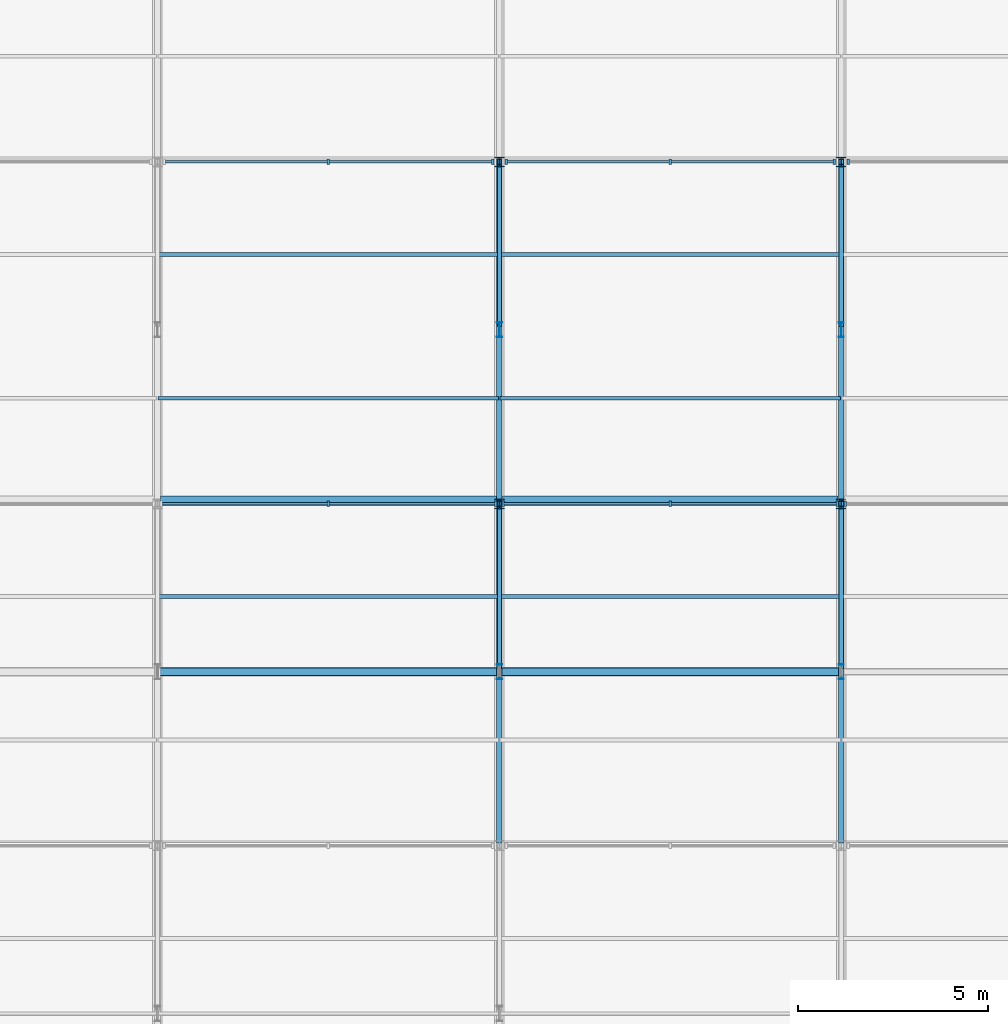
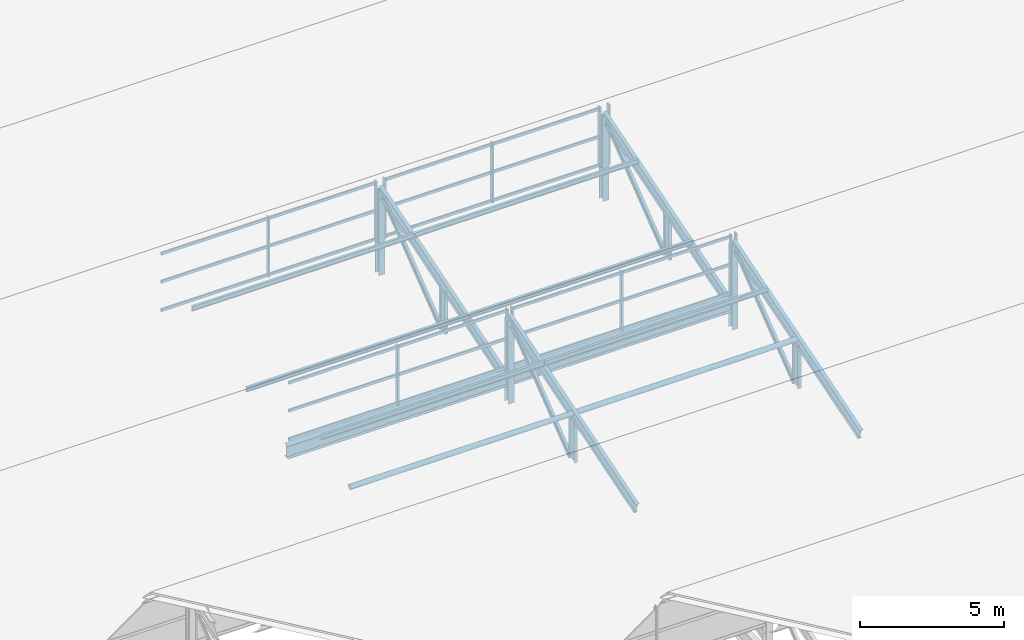
# One storey, part 53 of 163: 60 members, 2 beams, 6 elements without a shape of their own.
"""IFC4 building model written with IfcOpenShell, lengths in metres."""

from ifc_helpers import new_model, si_unit, direction, frame, origin, origin_2d, place, context, subcontext, project, spatial, rectangle, hollow_circle, i_section, extrude, material, material_profile, profile_set, type_object, element, aggregate, save


model = new_model("IFC4")

# Units and contexts
model_context = context("Model", 3, precision=1e-05, world=origin(), true_north=direction((0.0, 1.0)))
body_context = subcontext(model_context, "Body", "Model", "MODEL_VIEW")
ifc_project = project(units=[si_unit("LENGTHUNIT", "METRE"), si_unit("AREAUNIT", "SQUARE_METRE"), si_unit("VOLUMEUNIT", "CUBIC_METRE"), si_unit("PLANEANGLEUNIT", "RADIAN"), si_unit("MASSUNIT", "GRAM", prefix="KILO")], contexts=[model_context])

# Site, building, storey
site_placement = place(None, origin())
site = spatial("IfcSite", under=ifc_project, at=site_placement, CompositionType="ELEMENT")
building_placement = place(site_placement, origin())
building = spatial("IfcBuilding", under=site, at=building_placement, Name="Tharagai Park Tramway Depot", CompositionType="ELEMENT")
storey_placement = place(building_placement, frame((0.0, 0.0, 8.39990234375)))
storey = spatial("IfcBuildingStorey", under=building, at=storey_placement, Name="L02", CompositionType="ELEMENT", Elevation=8.39990234375)

# Beams
ifc_material_1 = material(Name="Steel E350", Category="steel")
ifc_material_profile_1 = material_profile(ifc_material_1, i_section(OverallWidth=0.25, OverallDepth=0.550048828125, WebThickness=0.010498046875, FlangeThickness=0.017578125, FilletRadius=0.01611328125, at=origin_2d()), Name="ISWB 550")
ifc_profile_set_1 = profile_set([ifc_material_profile_1], Name="Steel E350")
beam_type = type_object("IfcBeamType", Name="BM-04", PredefinedType="BEAM", material=ifc_profile_set_1)
for number, where, z_axis, x_axis, name in (
    (1, (45.080078125, 117.0, 0.72509765625), (1.0, 0.0, 0.0), (0.0, 1.0, 0.0), "Sawtooth Valley Girder BM-04"),
    (2, (54.080078125, 117.0, 0.72509765625), (1.0, 0.0, 0.0), (0.0, 1.0, 0.0), "Sawtooth Valley Girder BM-04"),
):
    element("IfcBeam", number, at=place(storey_placement, frame(where, z_axis=z_axis, x_axis=x_axis)), inside=storey, type_object=beam_type, Name=name, PredefinedType="BEAM", context=body_context, shape_type="SweptSolid", body=[
        extrude(i_section(OverallWidth=0.25, OverallDepth=0.550048828125, WebThickness=0.010498046875, FlangeThickness=0.017578125, FilletRadius=0.01611328125, at=origin_2d()), origin(), (0.0, 0.0, 1.0), 8.83984375),
    ])

# Members
ifc_material_profile_2 = material_profile(ifc_material_1, i_section(OverallWidth=0.25, OverallDepth=0.25, WebThickness=0.0087890625, FlangeThickness=0.009765625, FilletRadius=0.010009765625, at=origin_2d()), Name="ISHB 250")
ifc_profile_set_2 = profile_set([ifc_material_profile_2], Name="Steel E350")
member_type_1 = type_object("IfcMemberType", Name="BR-01", PredefinedType="BRACE", material=ifc_profile_set_2)
for number, where, z_axis, x_axis, name in (
    (3, (54.0, 116.919921875, -0.25), (0.0, 0.0, 1.0), (1.0, 0.0, 0.0), "Sawtooth North Vertical Post BR-01"),
    (4, (54.0, 125.919921875, -0.25), (0.0, 0.0, 1.0), (1.0, 0.0, 0.0), "Sawtooth North Vertical Post BR-01"),
    (5, (63.0, 116.919921875, -0.25), (0.0, 0.0, 1.0), (1.0, 0.0, 0.0), "Sawtooth North Vertical Post BR-01"),
    (6, (63.0, 125.919921875, -0.25), (0.0, 0.0, 1.0), (1.0, 0.0, 0.0), "Sawtooth North Vertical Post BR-01"),
):
    element("IfcMember", number, at=place(storey_placement, frame(where, z_axis=z_axis, x_axis=x_axis)), inside=storey, type_object=member_type_1, Name=name, PredefinedType="BRACE", context=body_context, shape_type="SweptSolid", body=[
        extrude(i_section(OverallWidth=0.25, OverallDepth=0.25, WebThickness=0.0087890625, FlangeThickness=0.009765625, FilletRadius=0.010009765625, at=origin_2d()), origin(), (0.0, 0.0, 1.0), 3.55517578125),
    ])
ifc_material_profile_3 = material_profile(ifc_material_1, hollow_circle(Radius=0.109619140625, WallThickness=0.008056640625, at=origin_2d()), Name="CHS 219.1x8")
ifc_profile_set_3 = profile_set([ifc_material_profile_3], Name="Steel E350")
member_type_2 = type_object("IfcMemberType", Name="BR-03", PredefinedType="BRACE", material=ifc_profile_set_3)
for number, where, z_axis, x_axis, name in (
    (7, (45.02001953125, 112.5, 1.946533203125), (1.0, 0.0, 0.0), (0.0, 1.0, 0.0), "Sawtooth Tubular Tie Strut BR-03"),
    (8, (54.02001953125, 112.5, 1.946533203125), (1.0, 0.0, 0.0), (0.0, 1.0, 0.0), "Sawtooth Tubular Tie Strut BR-03"),
):
    element("IfcMember", number, at=place(storey_placement, frame(where, z_axis=z_axis, x_axis=x_axis)), inside=storey, type_object=member_type_2, Name=name, PredefinedType="BRACE", context=body_context, shape_type="SweptSolid", body=[
        extrude(hollow_circle(Radius=0.109619140625, WallThickness=0.008056640625, at=origin_2d()), origin(), (0.0, 0.0, 1.0), 8.9599609375),
    ])
ifc_material_profile_4 = material_profile(ifc_material_1, i_section(OverallWidth=0.110107421875, OverallDepth=0.22509765625, WebThickness=0.006591796875, FlangeThickness=0.01171875, FilletRadius=0.011962890625, at=origin_2d()), Name="ISMB 225")
ifc_profile_set_4 = profile_set([ifc_material_profile_4], Name="Steel E350")
member_type_3 = type_object("IfcMemberType", Name="BR-04", PredefinedType="BRACE", material=ifc_profile_set_4)
for number, where, z_axis, x_axis, name in (
    (9, (54.0, 112.64990234375, 0.0), (0.0, 0.790781596, 0.612098413188), (-1.0, 0.0, 0.0), "Sawtooth Truss Web Diagonal BR-04"),
    (10, (54.0, 121.64990234375, 0.0), (0.0, 0.790781596, 0.612098413188), (-1.0, 0.0, 0.0), "Sawtooth Truss Web Diagonal BR-04"),
    (11, (63.0, 112.64990234375, 0.0), (0.0, 0.790781596, 0.612098413188), (-1.0, 0.0, 0.0), "Sawtooth Truss Web Diagonal BR-04"),
    (12, (63.0, 121.64990234375, 0.0), (0.0, 0.790781596, 0.612098413188), (-1.0, 0.0, 0.0), "Sawtooth Truss Web Diagonal BR-04"),
):
    element("IfcMember", number, at=place(storey_placement, frame(where, z_axis=z_axis, x_axis=x_axis)), inside=storey, type_object=member_type_3, Name=name, PredefinedType="BRACE", context=body_context, shape_type="SweptSolid", body=[
        extrude(i_section(OverallWidth=0.110107421875, OverallDepth=0.22509765625, WebThickness=0.006591796875, FlangeThickness=0.01171875, FilletRadius=0.011962890625, at=origin_2d()), origin(), (0.0, 0.0, 1.0), 5.399658203125),
    ])

# Curtain wall, members
ifc_material_2 = material(Name="Anodised aluminium", Category="aluminium")
curtain_wall_type_1 = type_object("IfcCurtainWallType", Name="CW-04", PredefinedType="NOTDEFINED", material=ifc_material_2)
curtain_wall_1_placement = place(storey_placement, origin())
curtain_wall_1 = element("IfcCurtainWall", 13, at=curtain_wall_1_placement, inside=storey, type_object=curtain_wall_type_1, Name="Sawtooth North-Light Clerestory CW-04", PredefinedType="NOTDEFINED")
ifc_material_profile_5 = material_profile(ifc_material_2, rectangle(XDim=0.06494140625, YDim=0.1201171875, at=origin_2d()), Name="ALU 65x120")
ifc_profile_set_5 = profile_set([ifc_material_profile_5], Name="Anodised aluminium")
member_type_4 = type_object("IfcMemberType", Name="CM-01", PredefinedType="USERDEFINED", material=ifc_profile_set_5)
member_1_placement = place(storey_placement, frame((45.114990234375, 116.919921875, 1.26513671875), z_axis=(1.0, 0.0, 0.0), x_axis=(0.0, 1.0, 0.0)))
member_1 = element("IfcMember", 14, at=member_1_placement, type_object=member_type_4, Name="Sawtooth North-Light Clerestory Transom 1.1", ObjectType="TRANSOM", PredefinedType="USERDEFINED", context=body_context, shape_type="SweptSolid", body=[
    extrude(rectangle(XDim=0.06494140625, YDim=0.1201171875, at=origin_2d()), origin(), (0.0, 0.0, 1.0), 4.3701171875),
])
member_2_placement = place(storey_placement, frame((45.114990234375, 116.919921875, 2.4736328125), z_axis=(1.0, 0.0, 0.0), x_axis=(0.0, 1.0, 0.0)))
member_2 = element("IfcMember", 15, at=member_2_placement, type_object=member_type_4, Name="Sawtooth North-Light Clerestory Transom 1.2", ObjectType="TRANSOM", PredefinedType="USERDEFINED", context=body_context, shape_type="SweptSolid", body=[
    extrude(rectangle(XDim=0.06494140625, YDim=0.1201171875, at=origin_2d()), origin(), (0.0, 0.0, 1.0), 4.3701171875),
])
member_3_placement = place(storey_placement, frame((45.114990234375, 116.919921875, 3.662353515625), z_axis=(1.0, 0.0, 0.0), x_axis=(0.0, 1.0, 0.0)))
member_3 = element("IfcMember", 16, at=member_3_placement, type_object=member_type_4, Name="Sawtooth North-Light Clerestory Transom 1.3", ObjectType="TRANSOM", PredefinedType="USERDEFINED", context=body_context, shape_type="SweptSolid", body=[
    extrude(rectangle(XDim=0.06494140625, YDim=0.1201171875, at=origin_2d()), origin(), (0.0, 0.0, 1.0), 4.3701171875),
])
member_4_placement = place(storey_placement, frame((49.514892578125, 116.919921875, 1.26513671875), z_axis=(1.0, 0.0, 0.0), x_axis=(0.0, 1.0, 0.0)))
member_4 = element("IfcMember", 17, at=member_4_placement, type_object=member_type_4, Name="Sawtooth North-Light Clerestory Transom 2.1", ObjectType="TRANSOM", PredefinedType="USERDEFINED", context=body_context, shape_type="SweptSolid", body=[
    extrude(rectangle(XDim=0.06494140625, YDim=0.1201171875, at=origin_2d()), origin(), (0.0, 0.0, 1.0), 4.3701171875),
])
member_5_placement = place(storey_placement, frame((49.514892578125, 116.919921875, 2.4736328125), z_axis=(1.0, 0.0, 0.0), x_axis=(0.0, 1.0, 0.0)))
member_5 = element("IfcMember", 18, at=member_5_placement, type_object=member_type_4, Name="Sawtooth North-Light Clerestory Transom 2.2", ObjectType="TRANSOM", PredefinedType="USERDEFINED", context=body_context, shape_type="SweptSolid", body=[
    extrude(rectangle(XDim=0.06494140625, YDim=0.1201171875, at=origin_2d()), origin(), (0.0, 0.0, 1.0), 4.3701171875),
])
member_6_placement = place(storey_placement, frame((49.514892578125, 116.919921875, 3.662353515625), z_axis=(1.0, 0.0, 0.0), x_axis=(0.0, 1.0, 0.0)))
member_6 = element("IfcMember", 19, at=member_6_placement, type_object=member_type_4, Name="Sawtooth North-Light Clerestory Transom 2.3", ObjectType="TRANSOM", PredefinedType="USERDEFINED", context=body_context, shape_type="SweptSolid", body=[
    extrude(rectangle(XDim=0.06494140625, YDim=0.1201171875, at=origin_2d()), origin(), (0.0, 0.0, 1.0), 4.3701171875),
])

curtain_wall_2_placement = place(storey_placement, origin())
curtain_wall_2 = element("IfcCurtainWall", 20, at=curtain_wall_2_placement, inside=storey, type_object=curtain_wall_type_1, Name="Sawtooth North-Light Clerestory CW-04", PredefinedType="NOTDEFINED")
member_7_placement = place(storey_placement, frame((54.114990234375, 116.919921875, 1.26513671875), z_axis=(1.0, 0.0, 0.0), x_axis=(0.0, 1.0, 0.0)))
member_7 = element("IfcMember", 21, at=member_7_placement, type_object=member_type_4, Name="Sawtooth North-Light Clerestory Transom 1.1", ObjectType="TRANSOM", PredefinedType="USERDEFINED", context=body_context, shape_type="SweptSolid", body=[
    extrude(rectangle(XDim=0.06494140625, YDim=0.1201171875, at=origin_2d()), origin(), (0.0, 0.0, 1.0), 4.3701171875),
])
member_8_placement = place(storey_placement, frame((54.114990234375, 116.919921875, 2.4736328125), z_axis=(1.0, 0.0, 0.0), x_axis=(0.0, 1.0, 0.0)))
member_8 = element("IfcMember", 22, at=member_8_placement, type_object=member_type_4, Name="Sawtooth North-Light Clerestory Transom 1.2", ObjectType="TRANSOM", PredefinedType="USERDEFINED", context=body_context, shape_type="SweptSolid", body=[
    extrude(rectangle(XDim=0.06494140625, YDim=0.1201171875, at=origin_2d()), origin(), (0.0, 0.0, 1.0), 4.3701171875),
])
member_9_placement = place(storey_placement, frame((54.114990234375, 116.919921875, 3.662353515625), z_axis=(1.0, 0.0, 0.0), x_axis=(0.0, 1.0, 0.0)))
member_9 = element("IfcMember", 23, at=member_9_placement, type_object=member_type_4, Name="Sawtooth North-Light Clerestory Transom 1.3", ObjectType="TRANSOM", PredefinedType="USERDEFINED", context=body_context, shape_type="SweptSolid", body=[
    extrude(rectangle(XDim=0.06494140625, YDim=0.1201171875, at=origin_2d()), origin(), (0.0, 0.0, 1.0), 4.3701171875),
])
member_10_placement = place(storey_placement, frame((58.514892578125, 116.919921875, 1.26513671875), z_axis=(1.0, 0.0, 0.0), x_axis=(0.0, 1.0, 0.0)))
member_10 = element("IfcMember", 24, at=member_10_placement, type_object=member_type_4, Name="Sawtooth North-Light Clerestory Transom 2.1", ObjectType="TRANSOM", PredefinedType="USERDEFINED", context=body_context, shape_type="SweptSolid", body=[
    extrude(rectangle(XDim=0.06494140625, YDim=0.1201171875, at=origin_2d()), origin(), (0.0, 0.0, 1.0), 4.3701171875),
])
member_11_placement = place(storey_placement, frame((58.514892578125, 116.919921875, 2.4736328125), z_axis=(1.0, 0.0, 0.0), x_axis=(0.0, 1.0, 0.0)))
member_11 = element("IfcMember", 25, at=member_11_placement, type_object=member_type_4, Name="Sawtooth North-Light Clerestory Transom 2.2", ObjectType="TRANSOM", PredefinedType="USERDEFINED", context=body_context, shape_type="SweptSolid", body=[
    extrude(rectangle(XDim=0.06494140625, YDim=0.1201171875, at=origin_2d()), origin(), (0.0, 0.0, 1.0), 4.3701171875),
])
member_12_placement = place(storey_placement, frame((58.514892578125, 116.919921875, 3.662353515625), z_axis=(1.0, 0.0, 0.0), x_axis=(0.0, 1.0, 0.0)))
member_12 = element("IfcMember", 26, at=member_12_placement, type_object=member_type_4, Name="Sawtooth North-Light Clerestory Transom 2.3", ObjectType="TRANSOM", PredefinedType="USERDEFINED", context=body_context, shape_type="SweptSolid", body=[
    extrude(rectangle(XDim=0.06494140625, YDim=0.1201171875, at=origin_2d()), origin(), (0.0, 0.0, 1.0), 4.3701171875),
])

curtain_wall_type_2 = type_object("IfcCurtainWallType", Name="CW-03", PredefinedType="NOTDEFINED", material=ifc_material_2)
curtain_wall_3_placement = place(storey_placement, origin())
curtain_wall_3 = element("IfcCurtainWall", 27, at=curtain_wall_3_placement, inside=storey, type_object=curtain_wall_type_2, Name="Sawtooth North-Light Clerestory CW-03", PredefinedType="NOTDEFINED")
member_13_placement = place(storey_placement, frame((45.195068359375, 125.919921875, 1.26513671875), z_axis=(1.0, 0.0, 0.0), x_axis=(0.0, 1.0, 0.0)))
member_13 = element("IfcMember", 28, at=member_13_placement, type_object=member_type_4, Name="Sawtooth North-Light Clerestory Transom 1.1", ObjectType="TRANSOM", PredefinedType="USERDEFINED", context=body_context, shape_type="SweptSolid", body=[
    extrude(rectangle(XDim=0.06494140625, YDim=0.1201171875, at=origin_2d()), origin(), (0.0, 0.0, 1.0), 4.2900390625),
])
member_14_placement = place(storey_placement, frame((45.195068359375, 125.919921875, 2.4736328125), z_axis=(1.0, 0.0, 0.0), x_axis=(0.0, 1.0, 0.0)))
member_14 = element("IfcMember", 29, at=member_14_placement, type_object=member_type_4, Name="Sawtooth North-Light Clerestory Transom 1.2", ObjectType="TRANSOM", PredefinedType="USERDEFINED", context=body_context, shape_type="SweptSolid", body=[
    extrude(rectangle(XDim=0.06494140625, YDim=0.1201171875, at=origin_2d()), origin(), (0.0, 0.0, 1.0), 4.2900390625),
])
member_15_placement = place(storey_placement, frame((45.195068359375, 125.919921875, 3.662353515625), z_axis=(1.0, 0.0, 0.0), x_axis=(0.0, 1.0, 0.0)))
member_15 = element("IfcMember", 30, at=member_15_placement, type_object=member_type_4, Name="Sawtooth North-Light Clerestory Transom 1.3", ObjectType="TRANSOM", PredefinedType="USERDEFINED", context=body_context, shape_type="SweptSolid", body=[
    extrude(rectangle(XDim=0.06494140625, YDim=0.1201171875, at=origin_2d()), origin(), (0.0, 0.0, 1.0), 4.2900390625),
])
member_16_placement = place(storey_placement, frame((49.514892578125, 125.919921875, 1.26513671875), z_axis=(1.0, 0.0, 0.0), x_axis=(0.0, 1.0, 0.0)))
member_16 = element("IfcMember", 31, at=member_16_placement, type_object=member_type_4, Name="Sawtooth North-Light Clerestory Transom 2.1", ObjectType="TRANSOM", PredefinedType="USERDEFINED", context=body_context, shape_type="SweptSolid", body=[
    extrude(rectangle(XDim=0.06494140625, YDim=0.1201171875, at=origin_2d()), origin(), (0.0, 0.0, 1.0), 4.2900390625),
])
member_17_placement = place(storey_placement, frame((49.514892578125, 125.919921875, 2.4736328125), z_axis=(1.0, 0.0, 0.0), x_axis=(0.0, 1.0, 0.0)))
member_17 = element("IfcMember", 32, at=member_17_placement, type_object=member_type_4, Name="Sawtooth North-Light Clerestory Transom 2.2", ObjectType="TRANSOM", PredefinedType="USERDEFINED", context=body_context, shape_type="SweptSolid", body=[
    extrude(rectangle(XDim=0.06494140625, YDim=0.1201171875, at=origin_2d()), origin(), (0.0, 0.0, 1.0), 4.2900390625),
])
member_18_placement = place(storey_placement, frame((49.514892578125, 125.919921875, 3.662353515625), z_axis=(1.0, 0.0, 0.0), x_axis=(0.0, 1.0, 0.0)))
member_18 = element("IfcMember", 33, at=member_18_placement, type_object=member_type_4, Name="Sawtooth North-Light Clerestory Transom 2.3", ObjectType="TRANSOM", PredefinedType="USERDEFINED", context=body_context, shape_type="SweptSolid", body=[
    extrude(rectangle(XDim=0.06494140625, YDim=0.1201171875, at=origin_2d()), origin(), (0.0, 0.0, 1.0), 4.2900390625),
])

curtain_wall_4_placement = place(storey_placement, origin())
curtain_wall_4 = element("IfcCurtainWall", 34, at=curtain_wall_4_placement, inside=storey, type_object=curtain_wall_type_2, Name="Sawtooth North-Light Clerestory CW-03", PredefinedType="NOTDEFINED")
member_19_placement = place(storey_placement, frame((54.195068359375, 125.919921875, 1.26513671875), z_axis=(1.0, 0.0, 0.0), x_axis=(0.0, 1.0, 0.0)))
member_19 = element("IfcMember", 35, at=member_19_placement, type_object=member_type_4, Name="Sawtooth North-Light Clerestory Transom 1.1", ObjectType="TRANSOM", PredefinedType="USERDEFINED", context=body_context, shape_type="SweptSolid", body=[
    extrude(rectangle(XDim=0.06494140625, YDim=0.1201171875, at=origin_2d()), origin(), (0.0, 0.0, 1.0), 4.2900390625),
])
member_20_placement = place(storey_placement, frame((54.195068359375, 125.919921875, 2.4736328125), z_axis=(1.0, 0.0, 0.0), x_axis=(0.0, 1.0, 0.0)))
member_20 = element("IfcMember", 36, at=member_20_placement, type_object=member_type_4, Name="Sawtooth North-Light Clerestory Transom 1.2", ObjectType="TRANSOM", PredefinedType="USERDEFINED", context=body_context, shape_type="SweptSolid", body=[
    extrude(rectangle(XDim=0.06494140625, YDim=0.1201171875, at=origin_2d()), origin(), (0.0, 0.0, 1.0), 4.2900390625),
])
member_21_placement = place(storey_placement, frame((54.195068359375, 125.919921875, 3.662353515625), z_axis=(1.0, 0.0, 0.0), x_axis=(0.0, 1.0, 0.0)))
member_21 = element("IfcMember", 37, at=member_21_placement, type_object=member_type_4, Name="Sawtooth North-Light Clerestory Transom 1.3", ObjectType="TRANSOM", PredefinedType="USERDEFINED", context=body_context, shape_type="SweptSolid", body=[
    extrude(rectangle(XDim=0.06494140625, YDim=0.1201171875, at=origin_2d()), origin(), (0.0, 0.0, 1.0), 4.2900390625),
])
member_22_placement = place(storey_placement, frame((58.514892578125, 125.919921875, 1.26513671875), z_axis=(1.0, 0.0, 0.0), x_axis=(0.0, 1.0, 0.0)))
member_22 = element("IfcMember", 38, at=member_22_placement, type_object=member_type_4, Name="Sawtooth North-Light Clerestory Transom 2.1", ObjectType="TRANSOM", PredefinedType="USERDEFINED", context=body_context, shape_type="SweptSolid", body=[
    extrude(rectangle(XDim=0.06494140625, YDim=0.1201171875, at=origin_2d()), origin(), (0.0, 0.0, 1.0), 4.2900390625),
])
member_23_placement = place(storey_placement, frame((58.514892578125, 125.919921875, 2.4736328125), z_axis=(1.0, 0.0, 0.0), x_axis=(0.0, 1.0, 0.0)))
member_23 = element("IfcMember", 39, at=member_23_placement, type_object=member_type_4, Name="Sawtooth North-Light Clerestory Transom 2.2", ObjectType="TRANSOM", PredefinedType="USERDEFINED", context=body_context, shape_type="SweptSolid", body=[
    extrude(rectangle(XDim=0.06494140625, YDim=0.1201171875, at=origin_2d()), origin(), (0.0, 0.0, 1.0), 4.2900390625),
])
member_24_placement = place(storey_placement, frame((58.514892578125, 125.919921875, 3.662353515625), z_axis=(1.0, 0.0, 0.0), x_axis=(0.0, 1.0, 0.0)))
member_24 = element("IfcMember", 40, at=member_24_placement, type_object=member_type_4, Name="Sawtooth North-Light Clerestory Transom 2.3", ObjectType="TRANSOM", PredefinedType="USERDEFINED", context=body_context, shape_type="SweptSolid", body=[
    extrude(rectangle(XDim=0.06494140625, YDim=0.1201171875, at=origin_2d()), origin(), (0.0, 0.0, 1.0), 4.2900390625),
])

# Member
ifc_material_profile_6 = material_profile(ifc_material_2, rectangle(XDim=0.06494140625, YDim=0.14990234375, at=origin_2d()), Name="ALU 65x150")
ifc_profile_set_6 = profile_set([ifc_material_profile_6], Name="Anodised aluminium")
member_type_5 = type_object("IfcMemberType", Name="CM-03", PredefinedType="MULLION", material=ifc_profile_set_6)
member_25_placement = place(storey_placement, frame((49.5, 116.919921875, 1.2001953125), z_axis=(0.0, 0.0, 1.0), x_axis=(1.0, 0.0, 0.0)))
member_25 = element("IfcMember", 41, at=member_25_placement, type_object=member_type_5, Name="Sawtooth North-Light Clerestory Mullion 2", PredefinedType="MULLION", context=body_context, shape_type="SweptSolid", body=[
    extrude(rectangle(XDim=0.06494140625, YDim=0.14990234375, at=origin_2d()), origin(), (0.0, 0.0, 1.0), 2.547119140625),
])

member_26_placement = place(storey_placement, frame((53.89990234375, 116.919921875, 1.2001953125), z_axis=(0.0, 0.0, 1.0), x_axis=(1.0, 0.0, 0.0)))
member_26 = element("IfcMember", 42, at=member_26_placement, type_object=member_type_5, Name="Sawtooth North-Light Clerestory Mullion 3", PredefinedType="MULLION", context=body_context, shape_type="SweptSolid", body=[
    extrude(rectangle(XDim=0.06494140625, YDim=0.14990234375, at=origin_2d()), origin(), (0.0, 0.0, 1.0), 2.547119140625),
])

aggregate(curtain_wall_1, [member_25, member_26, member_1, member_2, member_3, member_4, member_5, member_6])

member_27_placement = place(storey_placement, frame((54.10009765625, 116.919921875, 1.2001953125), z_axis=(0.0, 0.0, 1.0), x_axis=(1.0, 0.0, 0.0)))
member_27 = element("IfcMember", 43, at=member_27_placement, type_object=member_type_5, Name="Sawtooth North-Light Clerestory Mullion 1", PredefinedType="MULLION", context=body_context, shape_type="SweptSolid", body=[
    extrude(rectangle(XDim=0.06494140625, YDim=0.14990234375, at=origin_2d()), origin(), (0.0, 0.0, 1.0), 2.547119140625),
])

member_28_placement = place(storey_placement, frame((58.5, 116.919921875, 1.2001953125), z_axis=(0.0, 0.0, 1.0), x_axis=(1.0, 0.0, 0.0)))
member_28 = element("IfcMember", 44, at=member_28_placement, type_object=member_type_5, Name="Sawtooth North-Light Clerestory Mullion 2", PredefinedType="MULLION", context=body_context, shape_type="SweptSolid", body=[
    extrude(rectangle(XDim=0.06494140625, YDim=0.14990234375, at=origin_2d()), origin(), (0.0, 0.0, 1.0), 2.547119140625),
])

member_29_placement = place(storey_placement, frame((62.89990234375, 116.919921875, 1.2001953125), z_axis=(0.0, 0.0, 1.0), x_axis=(1.0, 0.0, 0.0)))
member_29 = element("IfcMember", 45, at=member_29_placement, type_object=member_type_5, Name="Sawtooth North-Light Clerestory Mullion 3", PredefinedType="MULLION", context=body_context, shape_type="SweptSolid", body=[
    extrude(rectangle(XDim=0.06494140625, YDim=0.14990234375, at=origin_2d()), origin(), (0.0, 0.0, 1.0), 2.547119140625),
])

aggregate(curtain_wall_2, [member_27, member_28, member_29, member_7, member_8, member_9, member_10, member_11, member_12])

# Curtain wall, member
curtain_wall_5_placement = place(storey_placement, origin())
curtain_wall_5 = element("IfcCurtainWall", 46, at=curtain_wall_5_placement, inside=storey, type_object=curtain_wall_type_1, Name="Sawtooth North-Light Clerestory CW-04", PredefinedType="NOTDEFINED")
member_30_placement = place(storey_placement, frame((63.10009765625, 116.919921875, 1.2001953125), z_axis=(0.0, 0.0, 1.0), x_axis=(1.0, 0.0, 0.0)))
member_30 = element("IfcMember", 47, at=member_30_placement, type_object=member_type_5, Name="Sawtooth North-Light Clerestory Mullion 1", PredefinedType="MULLION", context=body_context, shape_type="SweptSolid", body=[
    extrude(rectangle(XDim=0.06494140625, YDim=0.14990234375, at=origin_2d()), origin(), (0.0, 0.0, 1.0), 2.547119140625),
])
aggregate(curtain_wall_5, [member_30])

# Member
member_31_placement = place(storey_placement, frame((49.5, 125.919921875, 1.2001953125), z_axis=(0.0, 0.0, 1.0), x_axis=(1.0, 0.0, 0.0)))
member_31 = element("IfcMember", 48, at=member_31_placement, type_object=member_type_5, Name="Sawtooth North-Light Clerestory Mullion 2", PredefinedType="MULLION", context=body_context, shape_type="SweptSolid", body=[
    extrude(rectangle(XDim=0.06494140625, YDim=0.14990234375, at=origin_2d()), origin(), (0.0, 0.0, 1.0), 2.547119140625),
])

member_32_placement = place(storey_placement, frame((53.820068359375, 125.919921875, 1.2001953125), z_axis=(0.0, 0.0, 1.0), x_axis=(1.0, 0.0, 0.0)))
member_32 = element("IfcMember", 49, at=member_32_placement, type_object=member_type_5, Name="Sawtooth North-Light Clerestory Mullion 3", PredefinedType="MULLION", context=body_context, shape_type="SweptSolid", body=[
    extrude(rectangle(XDim=0.06494140625, YDim=0.14990234375, at=origin_2d()), origin(), (0.0, 0.0, 1.0), 2.547119140625),
])

aggregate(curtain_wall_3, [member_31, member_32, member_13, member_14, member_15, member_16, member_17, member_18])

member_33_placement = place(storey_placement, frame((54.179931640625, 125.919921875, 1.2001953125), z_axis=(0.0, 0.0, 1.0), x_axis=(1.0, 0.0, 0.0)))
member_33 = element("IfcMember", 50, at=member_33_placement, type_object=member_type_5, Name="Sawtooth North-Light Clerestory Mullion 1", PredefinedType="MULLION", context=body_context, shape_type="SweptSolid", body=[
    extrude(rectangle(XDim=0.06494140625, YDim=0.14990234375, at=origin_2d()), origin(), (0.0, 0.0, 1.0), 2.547119140625),
])

member_34_placement = place(storey_placement, frame((58.5, 125.919921875, 1.2001953125), z_axis=(0.0, 0.0, 1.0), x_axis=(1.0, 0.0, 0.0)))
member_34 = element("IfcMember", 51, at=member_34_placement, type_object=member_type_5, Name="Sawtooth North-Light Clerestory Mullion 2", PredefinedType="MULLION", context=body_context, shape_type="SweptSolid", body=[
    extrude(rectangle(XDim=0.06494140625, YDim=0.14990234375, at=origin_2d()), origin(), (0.0, 0.0, 1.0), 2.547119140625),
])

member_35_placement = place(storey_placement, frame((62.820068359375, 125.919921875, 1.2001953125), z_axis=(0.0, 0.0, 1.0), x_axis=(1.0, 0.0, 0.0)))
member_35 = element("IfcMember", 52, at=member_35_placement, type_object=member_type_5, Name="Sawtooth North-Light Clerestory Mullion 3", PredefinedType="MULLION", context=body_context, shape_type="SweptSolid", body=[
    extrude(rectangle(XDim=0.06494140625, YDim=0.14990234375, at=origin_2d()), origin(), (0.0, 0.0, 1.0), 2.547119140625),
])

aggregate(curtain_wall_4, [member_33, member_34, member_35, member_19, member_20, member_21, member_22, member_23, member_24])

# Curtain wall, member
curtain_wall_6_placement = place(storey_placement, origin())
curtain_wall_6 = element("IfcCurtainWall", 53, at=curtain_wall_6_placement, inside=storey, type_object=curtain_wall_type_2, Name="Sawtooth North-Light Clerestory CW-03", PredefinedType="NOTDEFINED")
member_36_placement = place(storey_placement, frame((63.179931640625, 125.919921875, 1.2001953125), z_axis=(0.0, 0.0, 1.0), x_axis=(1.0, 0.0, 0.0)))
member_36 = element("IfcMember", 54, at=member_36_placement, type_object=member_type_5, Name="Sawtooth North-Light Clerestory Mullion 1", PredefinedType="MULLION", context=body_context, shape_type="SweptSolid", body=[
    extrude(rectangle(XDim=0.06494140625, YDim=0.14990234375, at=origin_2d()), origin(), (0.0, 0.0, 1.0), 2.547119140625),
])
aggregate(curtain_wall_6, [member_36])

# Members
ifc_material_3 = material(Name="Steel E250", Category="steel")
ifc_material_profile_7 = material_profile(ifc_material_3, i_section(OverallWidth=0.10009765625, OverallDepth=0.199951171875, WebThickness=0.00537109375, FlangeThickness=0.00732421875, FilletRadius=0.009033203125, at=origin_2d()), Name="ISLB 200")
ifc_profile_set_7 = profile_set([ifc_material_profile_7], Name="Steel E250")
member_type_6 = type_object("IfcMemberType", Name="PR-03", PredefinedType="PURLIN", material=ifc_profile_set_7)
for number, where, z_axis, x_axis, name in (
    (55, (45.02001953125, 119.699951171875, 1.733154296875), (1.0, 0.0, 0.0), (0.0, 1.0, 0.0), "Sawtooth Roof Purlin PR-03"),
    (56, (45.02001953125, 123.47998046875, 2.87451171875), (1.0, 0.0, 0.0), (0.0, 1.0, 0.0), "Sawtooth Roof Purlin PR-03"),
    (57, (54.02001953125, 119.699951171875, 1.733154296875), (1.0, 0.0, 0.0), (0.0, 1.0, 0.0), "Sawtooth Roof Purlin PR-03"),
    (58, (54.02001953125, 123.47998046875, 2.87451171875), (1.0, 0.0, 0.0), (0.0, 1.0, 0.0), "Sawtooth Roof Purlin PR-03"),
):
    element("IfcMember", number, at=place(storey_placement, frame(where, z_axis=z_axis, x_axis=x_axis)), inside=storey, type_object=member_type_6, Name=name, PredefinedType="PURLIN", context=body_context, shape_type="SweptSolid", body=[
        extrude(i_section(OverallWidth=0.10009765625, OverallDepth=0.199951171875, WebThickness=0.00537109375, FlangeThickness=0.00732421875, FilletRadius=0.009033203125, at=origin_2d()), origin(), (0.0, 0.0, 1.0), 8.9599609375),
    ])
ifc_material_profile_8 = material_profile(ifc_material_3, i_section(OverallWidth=0.10009765625, OverallDepth=0.199951171875, WebThickness=0.005615234375, FlangeThickness=0.0107421875, FilletRadius=0.010986328125, at=origin_2d()), Name="ISMB 200")
ifc_profile_set_8 = profile_set([ifc_material_profile_8], Name="Steel E250")
member_type_7 = type_object("IfcMemberType", Name="PR-04", PredefinedType="PURLIN", material=ifc_profile_set_8)
for number, where, z_axis, x_axis, name in (
    (59, (45.02001953125, 114.47998046875, 2.87451171875), (1.0, 0.0, 0.0), (0.0, 1.0, 0.0), "Sawtooth Roof Purlin PR-04"),
    (60, (54.02001953125, 114.47998046875, 2.87451171875), (1.0, 0.0, 0.0), (0.0, 1.0, 0.0), "Sawtooth Roof Purlin PR-04"),
):
    element("IfcMember", number, at=place(storey_placement, frame(where, z_axis=z_axis, x_axis=x_axis)), inside=storey, type_object=member_type_7, Name=name, PredefinedType="PURLIN", context=body_context, shape_type="SweptSolid", body=[
        extrude(i_section(OverallWidth=0.10009765625, OverallDepth=0.199951171875, WebThickness=0.005615234375, FlangeThickness=0.0107421875, FilletRadius=0.010986328125, at=origin_2d()), origin(), (0.0, 0.0, 1.0), 8.9599609375),
    ])
ifc_material_profile_9 = material_profile(ifc_material_1, i_section(OverallWidth=0.14990234375, OverallDepth=0.449951171875, WebThickness=0.009521484375, FlangeThickness=0.017333984375, FilletRadius=0.014892578125, at=origin_2d()), Name="ISMB 450")
ifc_profile_set_9 = profile_set([ifc_material_profile_9], Name="Steel E350")
member_type_8 = type_object("IfcMemberType", Name="TC-05", PredefinedType="CHORD", material=ifc_profile_set_9)
for number, where, z_axis, x_axis, name in (
    (61, (54.0, 108.06005859375, 0.587890625), (0.0, 0.956231486327, 0.29261125159), (-1.0, 0.0, 0.0), "Sawtooth Top Chord TC-05"),
    (62, (54.0, 117.06005859375, 0.587890625), (0.0, 0.956231486327, 0.29261125159), (-1.0, 0.0, 0.0), "Sawtooth Top Chord TC-05"),
    (63, (63.0, 108.06005859375, 0.587890625), (0.0, 0.956231486327, 0.29261125159), (-1.0, 0.0, 0.0), "Sawtooth Top Chord TC-05"),
    (64, (63.0, 117.06005859375, 0.587890625), (0.0, 0.956231486327, 0.29261125159), (-1.0, 0.0, 0.0), "Sawtooth Top Chord TC-05"),
):
    element("IfcMember", number, at=place(storey_placement, frame(where, z_axis=z_axis, x_axis=x_axis)), inside=storey, type_object=member_type_8, Name=name, PredefinedType="CHORD", context=body_context, shape_type="SweptSolid", body=[
        extrude(i_section(OverallWidth=0.14990234375, OverallDepth=0.449951171875, WebThickness=0.009521484375, FlangeThickness=0.017333984375, FilletRadius=0.014892578125, at=origin_2d()), origin(), (0.0, 0.0, 1.0), 9.286376953125),
    ])
ifc_material_profile_10 = material_profile(ifc_material_1, i_section(OverallWidth=0.139892578125, OverallDepth=0.39990234375, WebThickness=0.0087890625, FlangeThickness=0.01611328125, FilletRadius=0.013916015625, at=origin_2d()), Name="ISMB 400")
ifc_profile_set_10 = profile_set([ifc_material_profile_10], Name="Steel E350")
member_type_9 = type_object("IfcMemberType", Name="TC-06", PredefinedType="CHORD", material=ifc_profile_set_10)
for number, where, z_axis, x_axis, name in (
    (65, (54.0, 112.5, -0.0498046875), (0.0, 0.0, 1.0), (1.0, 0.0, 0.0), "Sawtooth Mid-Tooth Strut TC-06"),
    (66, (54.0, 121.5, -0.0498046875), (0.0, 0.0, 1.0), (1.0, 0.0, 0.0), "Sawtooth Mid-Tooth Strut TC-06"),
    (67, (63.0, 112.5, -0.0498046875), (0.0, 0.0, 1.0), (1.0, 0.0, 0.0), "Sawtooth Mid-Tooth Strut TC-06"),
    (68, (63.0, 121.5, -0.0498046875), (0.0, 0.0, 1.0), (1.0, 0.0, 0.0), "Sawtooth Mid-Tooth Strut TC-06"),
):
    element("IfcMember", number, at=place(storey_placement, frame(where, z_axis=z_axis, x_axis=x_axis)), inside=storey, type_object=member_type_9, Name=name, PredefinedType="CHORD", context=body_context, shape_type="SweptSolid", body=[
        extrude(i_section(OverallWidth=0.139892578125, OverallDepth=0.39990234375, WebThickness=0.0087890625, FlangeThickness=0.01611328125, FilletRadius=0.013916015625, at=origin_2d()), origin(), (0.0, 0.0, 1.0), 1.846435546875),
    ])

save(model, "model.ifc")
